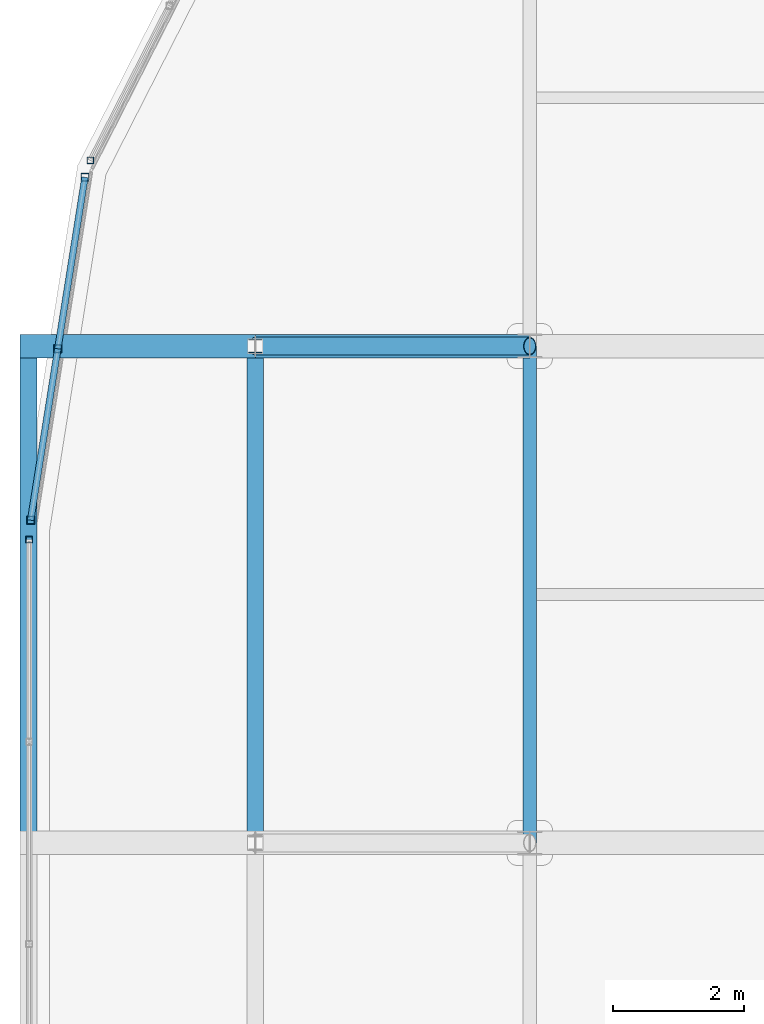
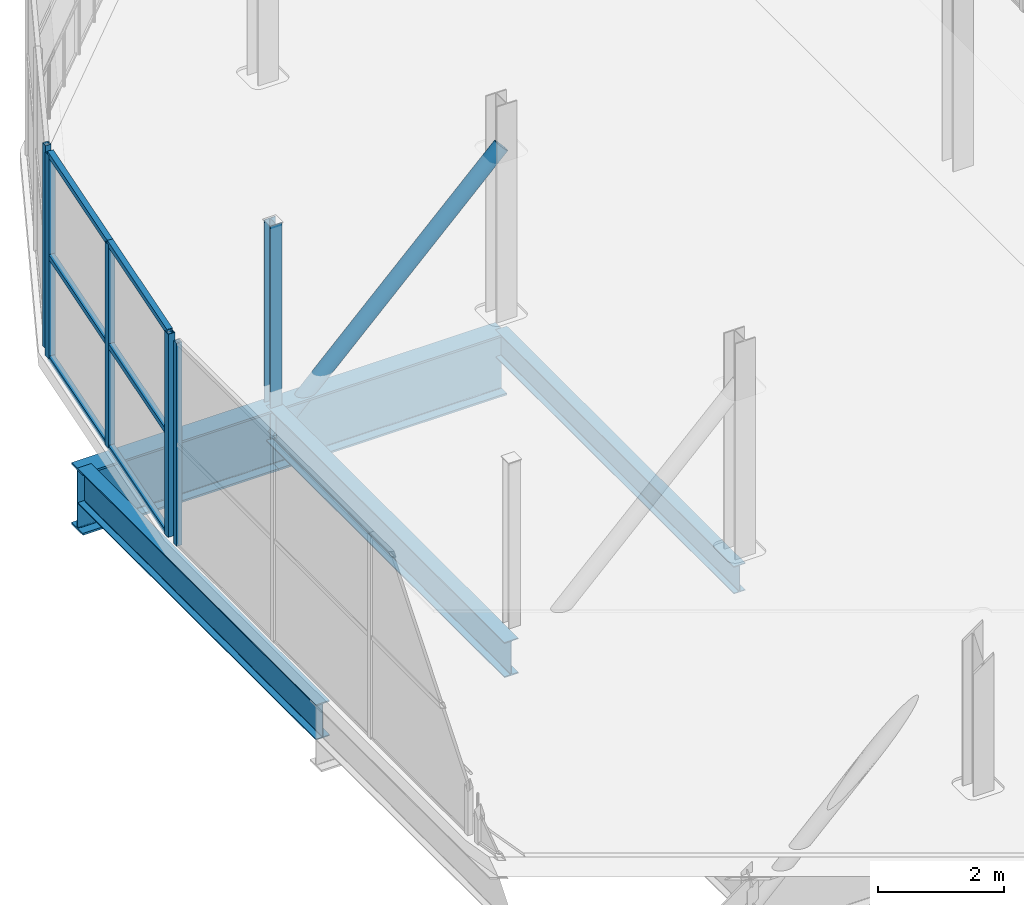
# One storey, part 49 of 217: 13 members, 5 beams, 3 elements without a shape of their own.
"""IFC4 building model written with IfcOpenShell, lengths in metres."""

from ifc_helpers import new_model, si_unit, direction, frame, origin, origin_2d, place, context, subcontext, project, spatial, hollow_rectangle, hollow_circle, i_section, extrude, material, material_profile, profile_set, type_object, element, aggregate, save


model = new_model("IFC4")

# Units and contexts
model_context = context("Model", 3, precision=1e-05, world=origin(), true_north=direction((0.0, 1.0)))
body_context = subcontext(model_context, "Body", "Model", "MODEL_VIEW")
ifc_project = project(units=[si_unit("LENGTHUNIT", "METRE"), si_unit("AREAUNIT", "SQUARE_METRE"), si_unit("VOLUMEUNIT", "CUBIC_METRE"), si_unit("PLANEANGLEUNIT", "RADIAN"), si_unit("MASSUNIT", "GRAM", prefix="KILO")], contexts=[model_context])

# Site, building, storey
site_placement = place(None, origin())
site = spatial("IfcSite", under=ifc_project, at=site_placement, CompositionType="ELEMENT")
building_placement = place(site_placement, origin())
building = spatial("IfcBuilding", under=site, at=building_placement, Name="Zuvorla Pavilion Media Centre", CompositionType="ELEMENT")
storey_placement = place(building_placement, frame((0.0, 0.0, 9.60009765625)))
storey = spatial("IfcBuildingStorey", under=building, at=storey_placement, Name="L02", CompositionType="ELEMENT", Elevation=9.60009765625)

# Beams
ifc_material_1 = material(Name="Steel S355", Category="steel")
ifc_material_profile_1 = material_profile(ifc_material_1, i_section(OverallWidth=0.360107421875, OverallDepth=1.199951171875, WebThickness=0.02001953125, FlangeThickness=0.0380859375, FilletRadius=0.02392578125, at=origin_2d()), Name="PG 1200x360x38")
ifc_profile_set_1 = profile_set([ifc_material_profile_1], Name="Steel S355")
beam_type_1 = type_object("IfcBeamType", Name="BM-PG1200", PredefinedType="BEAM", material=ifc_profile_set_1)
beam_1_placement = place(storey_placement, frame((16.39990234375, 74.39990234375, -0.8681640625), z_axis=(-1.0, 0.0, 0.0), x_axis=(0.0, -1.0, 0.0)))
element("IfcBeam", 1, at=beam_1_placement, inside=storey, type_object=beam_type_1, Name="L02 beam B01 1678", PredefinedType="BEAM", context=body_context, shape_type="SweptSolid", body=[
    extrude(i_section(OverallWidth=0.360107421875, OverallDepth=1.199951171875, WebThickness=0.02001953125, FlangeThickness=0.0380859375, FilletRadius=0.02392578125, at=origin_2d()), origin(), (0.0, 0.0, 1.0), 4.199951171875),
])
beam_2_placement = place(storey_placement, frame((12.199951171875, 74.39990234375, -0.8681640625), z_axis=(-1.0, 0.0, 0.0), x_axis=(0.0, -1.0, 0.0)))
element("IfcBeam", 2, at=beam_2_placement, inside=storey, type_object=beam_type_1, Name="L02 beam B01 1679", PredefinedType="BEAM", context=body_context, shape_type="SweptSolid", body=[
    extrude(i_section(OverallWidth=0.360107421875, OverallDepth=1.199951171875, WebThickness=0.02001953125, FlangeThickness=0.0380859375, FilletRadius=0.02392578125, at=origin_2d()), origin(), (0.0, 0.0, 1.0), 3.599853515625),
])
ifc_material_profile_2 = material_profile(ifc_material_1, i_section(OverallWidth=0.2099609375, OverallDepth=0.53662109375, WebThickness=0.0107421875, FlangeThickness=0.017333984375, FilletRadius=0.0126953125, at=origin_2d()), Name="UB 533x210x101")
ifc_profile_set_2 = profile_set([ifc_material_profile_2], Name="Steel S355")
beam_type_2 = type_object("IfcBeamType", Name="BM-UB533", PredefinedType="BEAM", material=ifc_profile_set_2)
beam_3_placement = place(storey_placement, frame((16.39990234375, 66.800048828125, -0.536376953125), z_axis=(0.0, 1.0, 0.0), x_axis=(-1.0, 0.0, 0.0)))
element("IfcBeam", 3, at=beam_3_placement, inside=storey, type_object=beam_type_2, Name="L02 beam B08 893", PredefinedType="BEAM", context=body_context, shape_type="SweptSolid", body=[
    extrude(i_section(OverallWidth=0.2099609375, OverallDepth=0.53662109375, WebThickness=0.0107421875, FlangeThickness=0.017333984375, FilletRadius=0.0126953125, at=origin_2d()), origin(), (0.0, 0.0, 1.0), 7.599853515625),
])
ifc_material_profile_3 = material_profile(ifc_material_1, i_section(OverallWidth=0.25439453125, OverallDepth=0.6875, WebThickness=0.01318359375, FlangeThickness=0.02099609375, FilletRadius=0.01513671875, at=origin_2d()), Name="UB 686x254x152")
ifc_profile_set_3 = profile_set([ifc_material_profile_3], Name="Steel S355")
beam_type_3 = type_object("IfcBeamType", Name="BM-UB686", PredefinedType="BEAM", material=ifc_profile_set_3)
for number, where, z_axis, x_axis, name in (
    (4, (12.199951171875, 66.800048828125, -0.61181640625), (0.0, 1.0, 0.0), (-1.0, 0.0, 0.0), "L02 beam B06 1684"),
    (5, (8.72998046875, 66.800048828125, -0.61181640625), (0.0, 1.0, 0.0), (-1.0, 0.0, 0.0), "L02 beam B06 1686"),
):
    element("IfcBeam", number, at=place(storey_placement, frame(where, z_axis=z_axis, x_axis=x_axis)), inside=storey, type_object=beam_type_3, Name=name, PredefinedType="BEAM", context=body_context, shape_type="SweptSolid", body=[
        extrude(i_section(OverallWidth=0.25439453125, OverallDepth=0.6875, WebThickness=0.01318359375, FlangeThickness=0.02099609375, FilletRadius=0.01513671875, at=origin_2d()), origin(), (0.0, 0.0, 1.0), 7.599853515625),
    ])

# Curtain wall, member
ifc_material_2 = material(Name="Unitised anodised aluminium and solar glass curtain wall", Category="aluminium")
curtain_wall_type_1 = type_object("IfcCurtainWallType", Name="CW-SYS-04", PredefinedType="USERDEFINED", material=ifc_material_2)
curtain_wall_1_placement = place(storey_placement, origin())
curtain_wall_1 = element("IfcCurtainWall", 6, at=curtain_wall_1_placement, inside=storey, type_object=curtain_wall_type_1, Name="L02 curtain wall CW04 30", ObjectType="CURTAIN WALL", PredefinedType="USERDEFINED")
ifc_material_3 = material(Name="Anodised aluminium 6063-T6", Category="aluminium")
ifc_material_profile_4 = material_profile(ifc_material_3, hollow_rectangle(XDim=0.10009765625, YDim=0.10009765625, WallThickness=0.00439453125, at=origin_2d()), Name="ALU MULL 100x100")
ifc_profile_set_4 = profile_set([ifc_material_profile_4], Name="Anodised aluminium 6063-T6")
member_type_1 = type_object("IfcMemberType", Name="CW-MULL-100", PredefinedType="MULLION", material=ifc_profile_set_4)
member_1_placement = place(storey_placement, frame((9.678466796875, 77.2412109375, 0.0), z_axis=(0.0, 0.0, 1.0), x_axis=(1.0, 0.0, 0.0)))
member_1 = element("IfcMember", 7, at=member_1_placement, type_object=member_type_1, Name="CW04 mullion 3", PredefinedType="MULLION", context=body_context, shape_type="SweptSolid", body=[
    extrude(hollow_rectangle(XDim=0.10009765625, YDim=0.10009765625, WallThickness=0.00439453125, at=origin_2d()), origin(), (0.0, 0.0, 1.0), 3.949951171875),
])
aggregate(curtain_wall_1, [member_1])

curtain_wall_type_2 = type_object("IfcCurtainWallType", Name="CW-SYS-05", PredefinedType="USERDEFINED", material=ifc_material_2)
curtain_wall_2_placement = place(storey_placement, origin())
curtain_wall_2 = element("IfcCurtainWall", 8, at=curtain_wall_2_placement, inside=storey, type_object=curtain_wall_type_2, Name="L02 curtain wall CW05 32", ObjectType="CURTAIN WALL", PredefinedType="USERDEFINED")
member_2_placement = place(storey_placement, frame((8.739990234375, 71.43994140625, 0.0), z_axis=(0.0, 0.0, 1.0), x_axis=(1.0, 0.0, 0.0)))
member_2 = element("IfcMember", 9, at=member_2_placement, type_object=member_type_1, Name="CW05 mullion 1", PredefinedType="MULLION", context=body_context, shape_type="SweptSolid", body=[
    extrude(hollow_rectangle(XDim=0.10009765625, YDim=0.10009765625, WallThickness=0.00439453125, at=origin_2d()), origin(), (0.0, 0.0, 1.0), 3.949951171875),
])
aggregate(curtain_wall_2, [member_2])

# Curtain wall, members
curtain_wall_type_3 = type_object("IfcCurtainWallType", Name="CW-SYS-02", PredefinedType="USERDEFINED", material=ifc_material_2)
curtain_wall_3_placement = place(storey_placement, origin())
curtain_wall_3 = element("IfcCurtainWall", 10, at=curtain_wall_3_placement, inside=storey, type_object=curtain_wall_type_3, Name="L02 curtain wall CW02 31", ObjectType="CURTAIN WALL", PredefinedType="USERDEFINED")
ifc_material_profile_5 = material_profile(ifc_material_3, hollow_rectangle(XDim=0.1201171875, YDim=0.1201171875, WallThickness=0.0048828125, at=origin_2d()), Name="ALU MULL 120x120")
ifc_profile_set_5 = profile_set([ifc_material_profile_5], Name="Anodised aluminium 6063-T6")
member_type_2 = type_object("IfcMemberType", Name="CW-MULL-120", PredefinedType="MULLION", material=ifc_profile_set_5)
member_3_placement = place(storey_placement, frame((9.59423828125, 76.982421875, 0.0), z_axis=(0.0, 0.0, 1.0), x_axis=(1.0, 0.0, 0.0)))
member_3 = element("IfcMember", 11, at=member_3_placement, type_object=member_type_2, Name="CW02 mullion 1", PredefinedType="MULLION", context=body_context, shape_type="SweptSolid", body=[
    extrude(hollow_rectangle(XDim=0.1201171875, YDim=0.1201171875, WallThickness=0.0048828125, at=origin_2d()), origin(), (0.0, 0.0, 1.0), 3.949951171875),
])
member_4_placement = place(storey_placement, frame((9.1787109375, 74.359130859375, 0.0), z_axis=(0.0, 0.0, 1.0), x_axis=(1.0, 0.0, 0.0)))
member_4 = element("IfcMember", 12, at=member_4_placement, type_object=member_type_2, Name="CW02 mullion 2", PredefinedType="MULLION", context=body_context, shape_type="SweptSolid", body=[
    extrude(hollow_rectangle(XDim=0.1201171875, YDim=0.1201171875, WallThickness=0.0048828125, at=origin_2d()), origin(), (0.0, 0.0, 1.0), 3.949951171875),
])
member_5_placement = place(storey_placement, frame((8.76318359375, 71.736083984375, 0.0), z_axis=(0.0, 0.0, 1.0), x_axis=(1.0, 0.0, 0.0)))
member_5 = element("IfcMember", 13, at=member_5_placement, type_object=member_type_2, Name="CW02 mullion 3", PredefinedType="MULLION", context=body_context, shape_type="SweptSolid", body=[
    extrude(hollow_rectangle(XDim=0.1201171875, YDim=0.1201171875, WallThickness=0.0048828125, at=origin_2d()), origin(), (0.0, 0.0, 1.0), 3.949951171875),
])
ifc_material_profile_6 = material_profile(ifc_material_3, hollow_rectangle(XDim=0.10009765625, YDim=0.10009765625, WallThickness=0.00439453125, at=origin_2d()), Name="ALU TRAN 100x100")
ifc_profile_set_6 = profile_set([ifc_material_profile_6], Name="Anodised aluminium 6063-T6")
member_type_3 = type_object("IfcMemberType", Name="CW-TRAN-100", PredefinedType="USERDEFINED", material=ifc_profile_set_6)
member_6_placement = place(storey_placement, frame((9.59423828125, 76.982421875, 0.0), z_axis=(-0.156448739647, -0.987686079614, 0.0), x_axis=(0.987686079614, -0.156448739647, 0.0)))
member_6 = element("IfcMember", 14, at=member_6_placement, type_object=member_type_3, Name="CW02 transom 1.1", ObjectType="TRANSOM", PredefinedType="USERDEFINED", context=body_context, shape_type="SweptSolid", body=[
    extrude(hollow_rectangle(XDim=0.10009765625, YDim=0.10009765625, WallThickness=0.00439453125, at=origin_2d()), origin(), (0.0, 0.0, 1.0), 2.656005859375),
])
member_7_placement = place(storey_placement, frame((9.59423828125, 76.982421875, 1.974853515625), z_axis=(-0.156448739647, -0.987686079614, 0.0), x_axis=(0.987686079614, -0.156448739647, 0.0)))
member_7 = element("IfcMember", 15, at=member_7_placement, type_object=member_type_3, Name="CW02 transom 1.2", ObjectType="TRANSOM", PredefinedType="USERDEFINED", context=body_context, shape_type="SweptSolid", body=[
    extrude(hollow_rectangle(XDim=0.10009765625, YDim=0.10009765625, WallThickness=0.00439453125, at=origin_2d()), origin(), (0.0, 0.0, 1.0), 2.656005859375),
])
member_8_placement = place(storey_placement, frame((9.59423828125, 76.982421875, 3.949951171875), z_axis=(-0.156448739647, -0.987686079614, 0.0), x_axis=(0.987686079614, -0.156448739647, 0.0)))
member_8 = element("IfcMember", 16, at=member_8_placement, type_object=member_type_3, Name="CW02 transom 1.3", ObjectType="TRANSOM", PredefinedType="USERDEFINED", context=body_context, shape_type="SweptSolid", body=[
    extrude(hollow_rectangle(XDim=0.10009765625, YDim=0.10009765625, WallThickness=0.00439453125, at=origin_2d()), origin(), (0.0, 0.0, 1.0), 2.656005859375),
])
member_9_placement = place(storey_placement, frame((9.1787109375, 74.359130859375, 0.0), z_axis=(-0.156462944686, -0.987683829441, 0.0), x_axis=(0.987683829441, -0.156462944686, 0.0)))
member_9 = element("IfcMember", 17, at=member_9_placement, type_object=member_type_3, Name="CW02 transom 2.1", ObjectType="TRANSOM", PredefinedType="USERDEFINED", context=body_context, shape_type="SweptSolid", body=[
    extrude(hollow_rectangle(XDim=0.10009765625, YDim=0.10009765625, WallThickness=0.00439453125, at=origin_2d()), origin(), (0.0, 0.0, 1.0), 2.65576171875),
])
member_10_placement = place(storey_placement, frame((9.1787109375, 74.359130859375, 1.974853515625), z_axis=(-0.156462944686, -0.987683829441, 0.0), x_axis=(0.987683829441, -0.156462944686, 0.0)))
member_10 = element("IfcMember", 18, at=member_10_placement, type_object=member_type_3, Name="CW02 transom 2.2", ObjectType="TRANSOM", PredefinedType="USERDEFINED", context=body_context, shape_type="SweptSolid", body=[
    extrude(hollow_rectangle(XDim=0.10009765625, YDim=0.10009765625, WallThickness=0.00439453125, at=origin_2d()), origin(), (0.0, 0.0, 1.0), 2.65576171875),
])
member_11_placement = place(storey_placement, frame((9.1787109375, 74.359130859375, 3.949951171875), z_axis=(-0.156462944686, -0.987683829441, 0.0), x_axis=(0.987683829441, -0.156462944686, 0.0)))
member_11 = element("IfcMember", 19, at=member_11_placement, type_object=member_type_3, Name="CW02 transom 2.3", ObjectType="TRANSOM", PredefinedType="USERDEFINED", context=body_context, shape_type="SweptSolid", body=[
    extrude(hollow_rectangle(XDim=0.10009765625, YDim=0.10009765625, WallThickness=0.00439453125, at=origin_2d()), origin(), (0.0, 0.0, 1.0), 2.65576171875),
])
aggregate(curtain_wall_3, [member_3, member_4, member_5, member_6, member_7, member_8, member_9, member_10, member_11])

# Members
ifc_material_profile_7 = material_profile(ifc_material_1, hollow_circle(Radius=0.136474609375, WallThickness=0.012451171875, at=origin_2d()), Name="CHS 273x12.5")
ifc_profile_set_7 = profile_set([ifc_material_profile_7], Name="Steel S355")
member_type_4 = type_object("IfcMemberType", Name="MEM-BRC-CHS273", PredefinedType="BRACE", material=ifc_profile_set_7)
member_12_placement = place(storey_placement, frame((16.39990234375, 74.39990234375, 3.27978515625), z_axis=(-0.711332384643, 0.0, -0.702855773654), x_axis=(0.0, -1.0, 0.0)))
element("IfcMember", 20, at=member_12_placement, inside=storey, type_object=member_type_4, Name="L02 diagonal brace TB01 9", PredefinedType="BRACE", context=body_context, shape_type="SweptSolid", body=[
    extrude(hollow_circle(Radius=0.136474609375, WallThickness=0.012451171875, at=origin_2d()), origin(), (0.0, 0.0, 1.0), 5.904296875),
])
ifc_material_profile_8 = material_profile(ifc_material_1, i_section(OverallWidth=0.205810546875, OverallDepth=0.209716796875, WebThickness=0.009521484375, FlangeThickness=0.01416015625, FilletRadius=0.01025390625, at=origin_2d()), Name="UC 203x203x60")
ifc_profile_set_8 = profile_set([ifc_material_profile_8], Name="Steel S355")
member_type_5 = type_object("IfcMemberType", Name="MEM-STR-UC203", PredefinedType="STRUT", material=ifc_profile_set_8)
member_13_placement = place(storey_placement, frame((12.199951171875, 74.39990234375, -0.8701171875), z_axis=(0.0, 0.0, 1.0), x_axis=(1.0, 0.0, 0.0)))
element("IfcMember", 21, at=member_13_placement, inside=storey, type_object=member_type_5, Name="L02 vertical strut TS02 10", PredefinedType="STRUT", context=body_context, shape_type="SweptSolid", body=[
    extrude(i_section(OverallWidth=0.205810546875, OverallDepth=0.209716796875, WebThickness=0.009521484375, FlangeThickness=0.01416015625, FilletRadius=0.01025390625, at=origin_2d()), origin(), (0.0, 0.0, 1.0), 4.14990234375),
])

save(model, "model.ifc")
